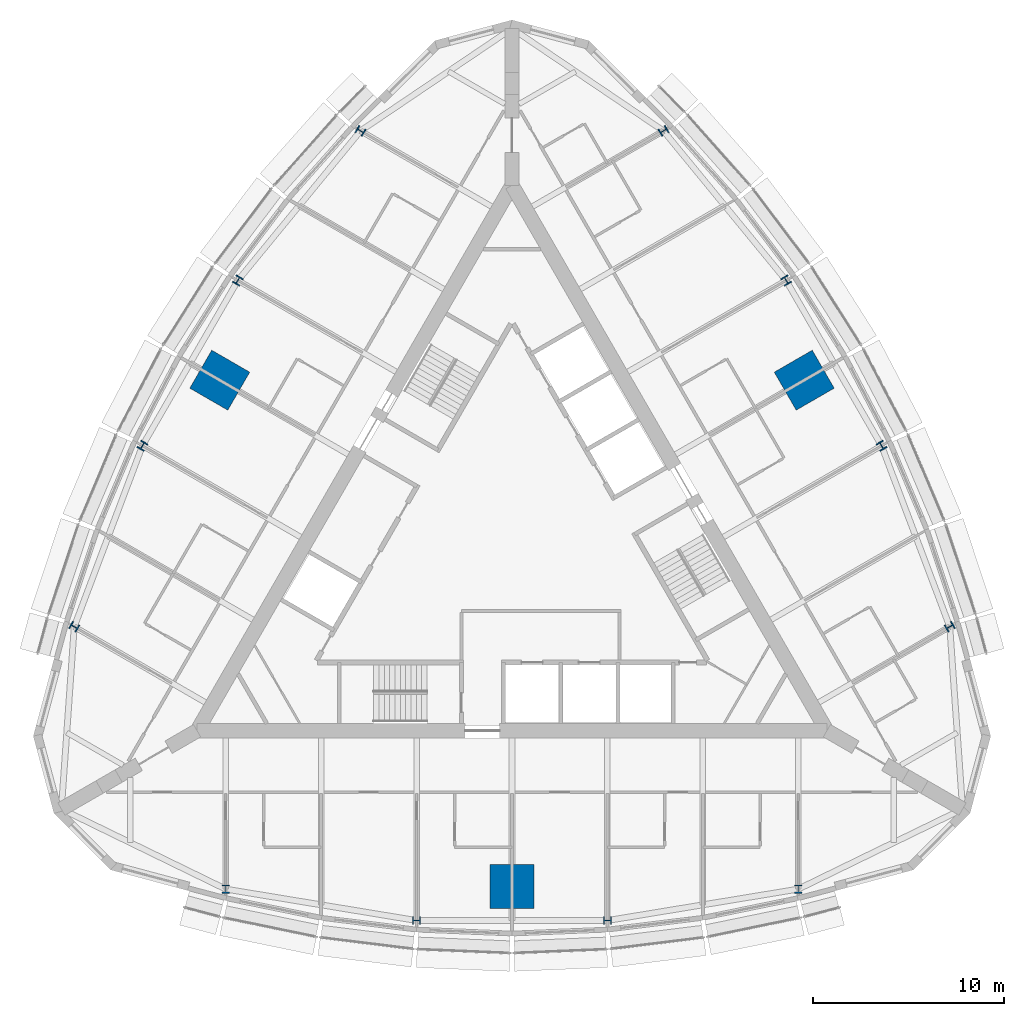
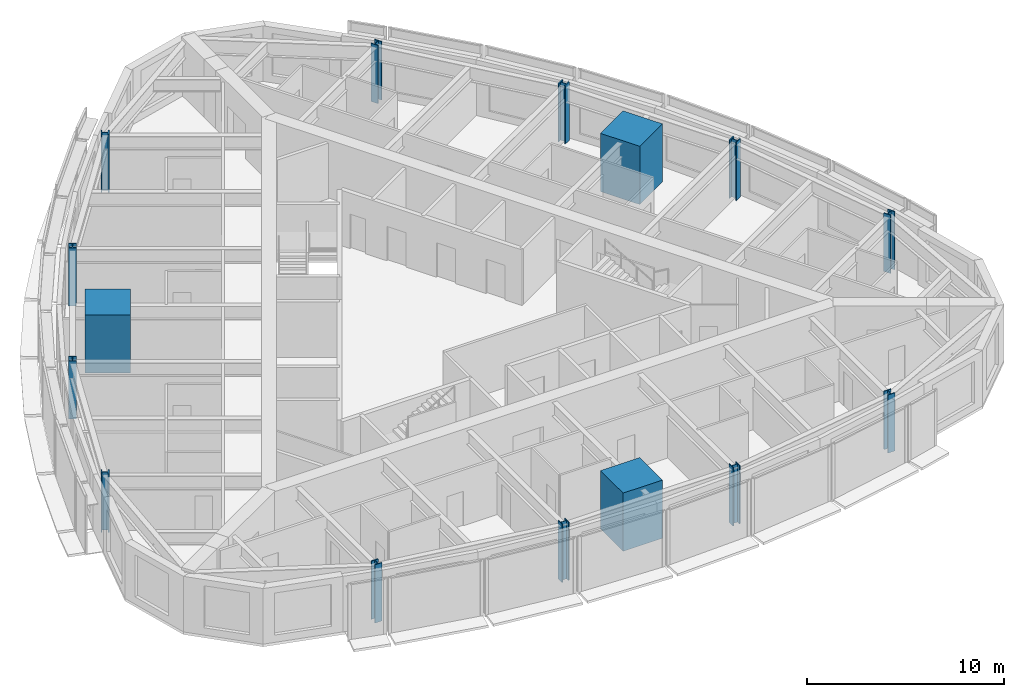
# One storey, part 1 of 15: 15 columns.
"""IFC4 building model written with IfcOpenShell, lengths in metres."""

from ifc_helpers import new_model, si_unit, direction, frame, origin, origin_2d, place, context, subcontext, project, spatial, rectangle, i_section, extrude, material, material_profile, profile_set, type_object, element, save


model = new_model("IFC4")

# Units and contexts
model_context = context("Model", 3, precision=1e-05, world=origin(), true_north=direction((0.0, 1.0)))
body_context = subcontext(model_context, "Body", "Model", "MODEL_VIEW")
ifc_project = project(units=[si_unit("LENGTHUNIT", "METRE"), si_unit("AREAUNIT", "SQUARE_METRE"), si_unit("VOLUMEUNIT", "CUBIC_METRE"), si_unit("PLANEANGLEUNIT", "RADIAN"), si_unit("MASSUNIT", "GRAM", prefix="KILO")], contexts=[model_context])

# Site, building, storey
site_placement = place(None, origin())
site = spatial("IfcSite", under=ifc_project, at=site_placement, CompositionType="ELEMENT")
building_placement = place(site_placement, origin())
building = spatial("IfcBuilding", under=site, at=building_placement, Name="Trikona Tower", CompositionType="ELEMENT")
storey_placement = place(building_placement, frame((0.0, 0.0, 222.5)))
storey = spatial("IfcBuildingStorey", under=building, at=storey_placement, Name="L59", CompositionType="ELEMENT", Elevation=222.5)

# Columns
ifc_material_1 = material(Name="Concrete f'c 10000 psi with encased steel section", Category="concrete")
ifc_material_profile_1 = material_profile(ifc_material_1, rectangle(XDim=2.300048828125, YDim=2.300048828125, at=origin_2d()), Name="MC2300")
ifc_profile_set_1 = profile_set([ifc_material_profile_1], Name="Concrete f'c 10000 psi with encased steel section")
column_type_1 = type_object("IfcColumnType", Name="Composite mega column 2300x2300", PredefinedType="COLUMN", material=ifc_profile_set_1)
for number, where, z_axis, x_axis, name in (
    (1, (0.0, -17.680419921875, 0.0), (0.0, 0.0, 1.0), (0.0, -1.0, 0.0), "Mega column MC1"),
    (2, (15.311767578125, 8.84033203125, 0.0), (0.0, 0.0, 1.0), (0.866025403784, 0.5, 0.0), "Mega column MC2"),
    (3, (-15.311767578125, 8.84033203125, 0.0), (0.0, 0.0, 1.0), (-0.866025403784, 0.5, 0.0), "Mega column MC3"),
):
    element("IfcColumn", number, at=place(storey_placement, frame(where, z_axis=z_axis, x_axis=x_axis)), inside=storey, type_object=column_type_1, Name=name, PredefinedType="COLUMN", context=body_context, shape_type="SweptSolid", body=[
        extrude(rectangle(XDim=2.300048828125, YDim=2.300048828125, at=origin_2d()), origin(), (0.0, 0.0, 1.0), 3.60009765625),
    ])
ifc_material_2 = material(Name="Steel ASTM A992 Grade 50", Category="steel")
ifc_material_profile_2 = material_profile(ifc_material_2, i_section(OverallWidth=0.411376953125, OverallDepth=0.434326171875, WebThickness=0.035888671875, FlangeThickness=0.057373046875, at=origin_2d()), Name="W14X311")
ifc_profile_set_2 = profile_set([ifc_material_profile_2], Name="Steel ASTM A992 Grade 50")
column_type_2 = type_object("IfcColumnType", Name="Steel column W14x311", PredefinedType="COLUMN", material=ifc_profile_set_2)
for number, where, z_axis, x_axis, name in (
    (4, (-15.0, -17.824951171875, 0.0), (0.0, 0.0, 1.0), (1.0, 0.0, 0.0), "Column F0m15"),
    (5, (-5.0, -19.471923828125, 0.0), (0.0, 0.0, 1.0), (0.0, -1.0, 0.0), "Column F0m5"),
    (6, (5.0, -19.471923828125, 0.0), (0.0, 0.0, 1.0), (0.0, -1.0, 0.0), "Column F0p5"),
    (7, (15.0, -17.824951171875, 0.0), (0.0, 0.0, 1.0), (1.0, 0.0, 0.0), "Column F0p15"),
    (8, (22.936767578125, -4.077880859375, 0.0), (0.0, 0.0, 1.0), (-0.5, 0.866025403784, 0.0), "Column F1m15"),
    (9, (19.36328125, 5.406005859375, 0.0), (0.0, 0.0, 1.0), (0.866025403784, 0.5, 0.0), "Column F1m5"),
    (10, (14.36328125, 14.066162109375, 0.0), (0.0, 0.0, 1.0), (0.866025403784, 0.5, 0.0), "Column F1p5"),
    (11, (7.936767578125, 21.90283203125, 0.0), (0.0, 0.0, 1.0), (-0.5, 0.866025403784, 0.0), "Column F1p15"),
    (12, (-7.936767578125, 21.90283203125, 0.0), (0.0, 0.0, 1.0), (-0.5, -0.866025403784, 0.0), "Column F2m15"),
    (13, (-14.36328125, 14.066162109375, 0.0), (0.0, 0.0, 1.0), (-0.866025403784, 0.5, 0.0), "Column F2m5"),
    (14, (-19.36328125, 5.406005859375, 0.0), (0.0, 0.0, 1.0), (-0.866025403784, 0.5, 0.0), "Column F2p5"),
    (15, (-22.936767578125, -4.077880859375, 0.0), (0.0, 0.0, 1.0), (-0.5, -0.866025403784, 0.0), "Column F2p15"),
):
    element("IfcColumn", number, at=place(storey_placement, frame(where, z_axis=z_axis, x_axis=x_axis)), inside=storey, type_object=column_type_2, Name=name, PredefinedType="COLUMN", context=body_context, shape_type="SweptSolid", body=[
        extrude(i_section(OverallWidth=0.411376953125, OverallDepth=0.434326171875, WebThickness=0.035888671875, FlangeThickness=0.057373046875, at=origin_2d()), origin(), (0.0, 0.0, 1.0), 3.60009765625),
    ])

save(model, "model.ifc")
